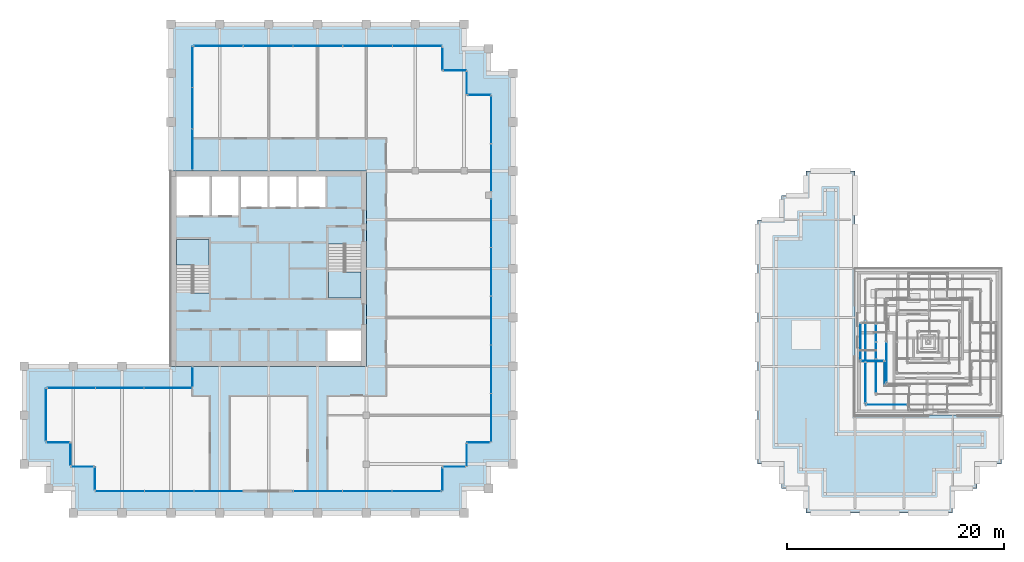
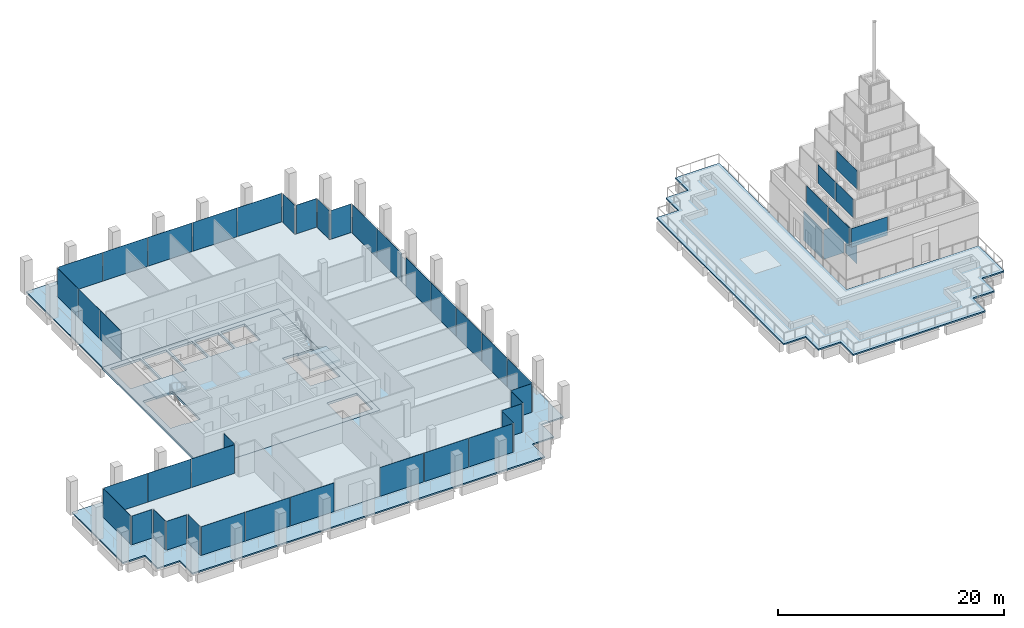
# One storey, part 52 of 62: 47 plates, 6 slabs, 30 elements without a shape of their own.
"""IFC4 building model written with IfcOpenShell, lengths in metres."""

from ifc_helpers import new_model, si_unit, direction, frame, origin, origin_2d, place, context, subcontext, project, spatial, polyline, rectangle, outline, extrude, material, layer, layer_set, type_object, element, aggregate, save


model = new_model("IFC4")

# Units and contexts
model_context = context("Model", 3, precision=1e-05, world=origin(), true_north=direction((0.0, 1.0)))
body_context = subcontext(model_context, "Body", "Model", "MODEL_VIEW")
ifc_project = project(units=[si_unit("LENGTHUNIT", "METRE"), si_unit("AREAUNIT", "SQUARE_METRE"), si_unit("VOLUMEUNIT", "CUBIC_METRE"), si_unit("PLANEANGLEUNIT", "RADIAN"), si_unit("MASSUNIT", "GRAM", prefix="KILO")], contexts=[model_context])

# Site, building, storey
site_placement = place(None, origin())
site = spatial("IfcSite", under=ifc_project, at=site_placement, CompositionType="ELEMENT")
building_placement = place(site_placement, origin())
building = spatial("IfcBuilding", under=site, at=building_placement, Name="Altepetl Exchange Towers", CompositionType="ELEMENT")
storey_placement = place(building_placement, frame((0.0, 0.0, 210.0)))
storey = spatial("IfcBuildingStorey", under=building, at=storey_placement, Name="L53", CompositionType="ELEMENT", Elevation=210.0)

# Slabs
ifc_material_1 = material(Name="Concrete C40/50", Category="concrete")
ifc_layer_1 = layer(ifc_material_1, 0.14990234375)
ifc_layer_set_1 = layer_set([ifc_layer_1], Name="Concrete C40/50")
slab_type_1 = type_object("IfcSlabType", Name="Composite floor slab 150", PredefinedType="FLOOR", material=ifc_layer_set_1)
slab_1_placement = place(storey_placement, frame((0.0, 0.0, -0.14990234375)))
element("IfcSlab", 1, at=slab_1_placement, inside=storey, type_object=slab_type_1, Name="slab:A:L53:strip0", PredefinedType="FLOOR", context=body_context, shape_type="SweptSolid", body=[
    extrude(outline(polyline([(42.5, 70.0), (42.5, 58.5), (58.5, 58.5), (58.5, 40.5), (42.5, 40.5), (42.5, 38.5), (29.0, 38.5), (29.0, 33.5), (31.25, 33.5), (31.25, 31.25), (33.5, 31.25), (33.5, 29.0), (65.5, 29.0), (65.5, 31.25), (67.75, 31.25), (67.75, 33.5), (70.0, 33.5), (70.0, 65.5), (67.75, 65.5), (67.75, 67.75), (65.5, 67.75), (65.5, 70.0), (42.5, 70.0)])), origin(), (0.0, 0.0, 1.0), 0.14990234375),
])
ifc_layer_2 = layer(ifc_material_1, 0.25)
ifc_layer_set_2 = layer_set([ifc_layer_2], Name="Concrete C40/50")
slab_type_2 = type_object("IfcSlabType", Name="Core floor slab 250", PredefinedType="FLOOR", material=ifc_layer_set_2)
slab_2_placement = place(storey_placement, frame((0.0, 0.0, -0.25)))
element("IfcSlab", 2, at=slab_2_placement, inside=storey, type_object=slab_type_2, Name="slab:A:L53:core0", PredefinedType="FLOOR", context=body_context, shape_type="SweptSolid", body=[
    extrude(outline(polyline([(40.5, 40.5), (58.5, 40.5), (58.5, 58.5), (40.5, 58.5), (40.5, 40.5)]), holes=[polyline([(54.93310546875, 43.800048828125), (58.0, 43.800048828125), (58.0, 41.0), (54.93310546875, 41.0), (54.93310546875, 43.800048828125)]), polyline([(55.0, 51.7490234375), (56.550048828125, 51.7490234375), (56.550048828125, 51.64990234375), (58.0, 51.64990234375), (58.0, 46.800048828125), (55.0, 46.800048828125), (55.0, 51.7490234375)]), polyline([(44.0, 47.2509765625), (42.449951171875, 47.2509765625), (42.449951171875, 47.35009765625), (41.0, 47.35009765625), (41.0, 52.199951171875), (44.0, 52.199951171875), (44.0, 47.2509765625)]), polyline([(41.0, 58.0), (44.06689453125, 58.0), (44.06689453125, 54.39990234375), (41.0, 54.39990234375), (41.0, 58.0)]), polyline([(44.26708984375, 58.0), (46.73291015625, 58.0), (46.73291015625, 54.39990234375), (44.26708984375, 54.39990234375), (44.26708984375, 58.0)]), polyline([(46.93310546875, 58.0), (49.39990234375, 58.0), (49.39990234375, 55.199951171875), (46.93310546875, 55.199951171875), (46.93310546875, 58.0)]), polyline([(49.60009765625, 58.0), (52.06689453125, 58.0), (52.06689453125, 55.199951171875), (49.60009765625, 55.199951171875), (49.60009765625, 58.0)]), polyline([(52.26708984375, 58.0), (54.73291015625, 58.0), (54.73291015625, 55.199951171875), (52.26708984375, 55.199951171875), (52.26708984375, 58.0)])]), origin(), (0.0, 0.0, 1.0), 0.25),
])

# Curtain wall, plate
ifc_material_2 = material(Name="Aluminium 6063-T6 glazing", Category="aluminium")
curtain_wall_type_1 = type_object("IfcCurtainWallType", Name="Loggia glazing system", PredefinedType="NOTDEFINED", material=ifc_material_2)
curtain_wall_1_placement = place(storey_placement, origin())
curtain_wall_1 = element("IfcCurtainWall", 3, at=curtain_wall_1_placement, inside=storey, type_object=curtain_wall_type_1, Name="CW1 run", PredefinedType="NOTDEFINED")
ifc_material_3 = material(Name="Glass 6-16-6 low emissivity", Category="glass")
ifc_layer_3 = layer(ifc_material_3, 0.028076171875)
ifc_layer_set_3 = layer_set([ifc_layer_3], Name="Glass 6-16-6 low emissivity")
plate_type_1 = type_object("IfcPlateType", Name="Glass panel 28 double glazed", PredefinedType="CURTAIN_PANEL", material=ifc_layer_set_3)
plate_1_placement = place(storey_placement, frame((42.5, 39.53759765625, 0.0), z_axis=(0.0, 0.0, 1.0), x_axis=(0.0, -1.0, 0.0)))
plate_1 = element("IfcPlate", 4, at=plate_1_placement, type_object=plate_type_1, Name="GP1 panel", PredefinedType="CURTAIN_PANEL", context=body_context, shape_type="SweptSolid", body=[
    extrude(rectangle(XDim=1.804931640625, YDim=0.028076171875, at=origin_2d()), origin(), (0.0, 0.0, 1.0), 3.10009765625),
])
aggregate(curtain_wall_1, [plate_1])

# Curtain wall, plates
curtain_wall_2_placement = place(storey_placement, origin())
curtain_wall_2 = element("IfcCurtainWall", 5, at=curtain_wall_2_placement, inside=storey, type_object=curtain_wall_type_1, Name="CW1 run", PredefinedType="NOTDEFINED")
plate_2_placement = place(storey_placement, frame((40.24755859375, 38.5, 0.0), z_axis=(0.0, 0.0, 1.0), x_axis=(-1.0, 0.0, 0.0)))
plate_2 = element("IfcPlate", 6, at=plate_2_placement, type_object=plate_type_1, Name="GP1 panel", PredefinedType="CURTAIN_PANEL", context=body_context, shape_type="SweptSolid", body=[
    extrude(rectangle(XDim=4.385009765625, YDim=0.028076171875, at=origin_2d()), origin(), (0.0, 0.0, 1.0), 3.10009765625),
])
plate_3_placement = place(storey_placement, frame((35.78759765625, 38.5, 0.0), z_axis=(0.0, 0.0, 1.0), x_axis=(-1.0, 0.0, 0.0)))
plate_3 = element("IfcPlate", 7, at=plate_3_placement, type_object=plate_type_1, Name="GP1 panel", PredefinedType="CURTAIN_PANEL", context=body_context, shape_type="SweptSolid", body=[
    extrude(rectangle(XDim=4.4150390625, YDim=0.028076171875, at=origin_2d()), origin(), (0.0, 0.0, 1.0), 3.10009765625),
])
plate_4_placement = place(storey_placement, frame((31.327392578125, 38.5, 0.0), z_axis=(0.0, 0.0, 1.0), x_axis=(-1.0, 0.0, 0.0)))
plate_4 = element("IfcPlate", 8, at=plate_4_placement, type_object=plate_type_1, Name="GP1 panel", PredefinedType="CURTAIN_PANEL", context=body_context, shape_type="SweptSolid", body=[
    extrude(rectangle(XDim=4.385009765625, YDim=0.028076171875, at=origin_2d()), origin(), (0.0, 0.0, 1.0), 3.10009765625),
])
aggregate(curtain_wall_2, [plate_2, plate_3, plate_4])

# Curtain wall, plate
curtain_wall_3_placement = place(storey_placement, origin())
curtain_wall_3 = element("IfcCurtainWall", 9, at=curtain_wall_3_placement, inside=storey, type_object=curtain_wall_type_1, Name="CW1 run", PredefinedType="NOTDEFINED")
plate_5_placement = place(storey_placement, frame((29.0, 36.03759765625, 0.0), z_axis=(0.0, 0.0, 1.0), x_axis=(0.0, -1.0, 0.0)))
plate_5 = element("IfcPlate", 10, at=plate_5_placement, type_object=plate_type_1, Name="GP1 panel", PredefinedType="CURTAIN_PANEL", context=body_context, shape_type="SweptSolid", body=[
    extrude(rectangle(XDim=4.804931640625, YDim=0.028076171875, at=origin_2d()), origin(), (0.0, 0.0, 1.0), 3.10009765625),
])
aggregate(curtain_wall_3, [plate_5])

curtain_wall_4_placement = place(storey_placement, origin())
curtain_wall_4 = element("IfcCurtainWall", 11, at=curtain_wall_4_placement, inside=storey, type_object=curtain_wall_type_1, Name="CW1 run", PredefinedType="NOTDEFINED")
plate_6_placement = place(storey_placement, frame((30.08740234375, 33.5, 0.0)))
plate_6 = element("IfcPlate", 12, at=plate_6_placement, type_object=plate_type_1, Name="GP1 panel", PredefinedType="CURTAIN_PANEL", context=body_context, shape_type="SweptSolid", body=[
    extrude(rectangle(XDim=2.054931640625, YDim=0.028076171875, at=origin_2d()), origin(), (0.0, 0.0, 1.0), 3.10009765625),
])
aggregate(curtain_wall_4, [plate_6])

curtain_wall_5_placement = place(storey_placement, origin())
curtain_wall_5 = element("IfcCurtainWall", 13, at=curtain_wall_5_placement, inside=storey, type_object=curtain_wall_type_1, Name="CW1 run", PredefinedType="NOTDEFINED")
plate_7_placement = place(storey_placement, frame((31.25, 32.41259765625, 0.0), z_axis=(0.0, 0.0, 1.0), x_axis=(0.0, -1.0, 0.0)))
plate_7 = element("IfcPlate", 14, at=plate_7_placement, type_object=plate_type_1, Name="GP1 panel", PredefinedType="CURTAIN_PANEL", context=body_context, shape_type="SweptSolid", body=[
    extrude(rectangle(XDim=2.054931640625, YDim=0.028076171875, at=origin_2d()), origin(), (0.0, 0.0, 1.0), 3.10009765625),
])
aggregate(curtain_wall_5, [plate_7])

curtain_wall_6_placement = place(storey_placement, origin())
curtain_wall_6 = element("IfcCurtainWall", 15, at=curtain_wall_6_placement, inside=storey, type_object=curtain_wall_type_1, Name="CW1 run", PredefinedType="NOTDEFINED")
plate_8_placement = place(storey_placement, frame((32.33740234375, 31.25, 0.0)))
plate_8 = element("IfcPlate", 16, at=plate_8_placement, type_object=plate_type_1, Name="GP1 panel", PredefinedType="CURTAIN_PANEL", context=body_context, shape_type="SweptSolid", body=[
    extrude(rectangle(XDim=2.054931640625, YDim=0.028076171875, at=origin_2d()), origin(), (0.0, 0.0, 1.0), 3.10009765625),
])
aggregate(curtain_wall_6, [plate_8])

curtain_wall_7_placement = place(storey_placement, origin())
curtain_wall_7 = element("IfcCurtainWall", 17, at=curtain_wall_7_placement, inside=storey, type_object=curtain_wall_type_1, Name="CW1 run", PredefinedType="NOTDEFINED")
plate_9_placement = place(storey_placement, frame((33.5, 30.16259765625, 0.0), z_axis=(0.0, 0.0, 1.0), x_axis=(0.0, -1.0, 0.0)))
plate_9 = element("IfcPlate", 18, at=plate_9_placement, type_object=plate_type_1, Name="GP1 panel", PredefinedType="CURTAIN_PANEL", context=body_context, shape_type="SweptSolid", body=[
    extrude(rectangle(XDim=2.054931640625, YDim=0.028076171875, at=origin_2d()), origin(), (0.0, 0.0, 1.0), 3.10009765625),
])
aggregate(curtain_wall_7, [plate_9])

# Curtain wall, plates
curtain_wall_8_placement = place(storey_placement, origin())
curtain_wall_8 = element("IfcCurtainWall", 19, at=curtain_wall_8_placement, inside=storey, type_object=curtain_wall_type_1, Name="CW1 run", PredefinedType="NOTDEFINED")
plate_10_placement = place(storey_placement, frame((35.79541015625, 29.0, 0.0)))
plate_10 = element("IfcPlate", 20, at=plate_10_placement, type_object=plate_type_1, Name="GP1 panel", PredefinedType="CURTAIN_PANEL", context=body_context, shape_type="SweptSolid", body=[
    extrude(rectangle(XDim=4.470703125, YDim=0.028076171875, at=origin_2d()), origin(), (0.0, 0.0, 1.0), 3.10009765625),
])
plate_11_placement = place(storey_placement, frame((40.341064453125, 29.0, 0.0)))
plate_11 = element("IfcPlate", 21, at=plate_11_placement, type_object=plate_type_1, Name="GP1 panel", PredefinedType="CURTAIN_PANEL", context=body_context, shape_type="SweptSolid", body=[
    extrude(rectangle(XDim=4.500732421875, YDim=0.028076171875, at=origin_2d()), origin(), (0.0, 0.0, 1.0), 3.10009765625),
])
plate_12_placement = place(storey_placement, frame((44.88671875, 29.0, 0.0)))
plate_12 = element("IfcPlate", 22, at=plate_12_placement, type_object=plate_type_1, Name="GP1 panel", PredefinedType="CURTAIN_PANEL", context=body_context, shape_type="SweptSolid", body=[
    extrude(rectangle(XDim=4.470703125, YDim=0.028076171875, at=origin_2d()), origin(), (0.0, 0.0, 1.0), 3.10009765625),
])
aggregate(curtain_wall_8, [plate_10, plate_11, plate_12])

curtain_wall_9_placement = place(storey_placement, origin())
curtain_wall_9 = element("IfcCurtainWall", 23, at=curtain_wall_9_placement, inside=storey, type_object=curtain_wall_type_1, Name="CW1 run", PredefinedType="NOTDEFINED")
plate_13_placement = place(storey_placement, frame((54.038330078125, 29.0, 0.0)))
plate_13 = element("IfcPlate", 24, at=plate_13_placement, type_object=plate_type_1, Name="GP1 panel", PredefinedType="CURTAIN_PANEL", context=body_context, shape_type="SweptSolid", body=[
    extrude(rectangle(XDim=4.470703125, YDim=0.028076171875, at=origin_2d()), origin(), (0.0, 0.0, 1.0), 3.10009765625),
])
plate_14_placement = place(storey_placement, frame((58.583984375, 29.0, 0.0)))
plate_14 = element("IfcPlate", 25, at=plate_14_placement, type_object=plate_type_1, Name="GP1 panel", PredefinedType="CURTAIN_PANEL", context=body_context, shape_type="SweptSolid", body=[
    extrude(rectangle(XDim=4.500732421875, YDim=0.028076171875, at=origin_2d()), origin(), (0.0, 0.0, 1.0), 3.10009765625),
])
plate_15_placement = place(storey_placement, frame((63.129638671875, 29.0, 0.0)))
plate_15 = element("IfcPlate", 26, at=plate_15_placement, type_object=plate_type_1, Name="GP1 panel", PredefinedType="CURTAIN_PANEL", context=body_context, shape_type="SweptSolid", body=[
    extrude(rectangle(XDim=4.470703125, YDim=0.028076171875, at=origin_2d()), origin(), (0.0, 0.0, 1.0), 3.10009765625),
])
aggregate(curtain_wall_9, [plate_13, plate_14, plate_15])

# Curtain wall, plate
curtain_wall_10_placement = place(storey_placement, origin())
curtain_wall_10 = element("IfcCurtainWall", 27, at=curtain_wall_10_placement, inside=storey, type_object=curtain_wall_type_1, Name="CW1 run", PredefinedType="NOTDEFINED")
plate_16_placement = place(storey_placement, frame((65.5, 30.08740234375, 0.0), z_axis=(0.0, 0.0, 1.0), x_axis=(0.0, 1.0, 0.0)))
plate_16 = element("IfcPlate", 28, at=plate_16_placement, type_object=plate_type_1, Name="GP1 panel", PredefinedType="CURTAIN_PANEL", context=body_context, shape_type="SweptSolid", body=[
    extrude(rectangle(XDim=2.054931640625, YDim=0.028076171875, at=origin_2d()), origin(), (0.0, 0.0, 1.0), 3.10009765625),
])
aggregate(curtain_wall_10, [plate_16])

curtain_wall_11_placement = place(storey_placement, origin())
curtain_wall_11 = element("IfcCurtainWall", 29, at=curtain_wall_11_placement, inside=storey, type_object=curtain_wall_type_1, Name="CW1 run", PredefinedType="NOTDEFINED")
plate_17_placement = place(storey_placement, frame((66.58740234375, 31.25, 0.0)))
plate_17 = element("IfcPlate", 30, at=plate_17_placement, type_object=plate_type_1, Name="GP1 panel", PredefinedType="CURTAIN_PANEL", context=body_context, shape_type="SweptSolid", body=[
    extrude(rectangle(XDim=2.054931640625, YDim=0.028076171875, at=origin_2d()), origin(), (0.0, 0.0, 1.0), 3.10009765625),
])
aggregate(curtain_wall_11, [plate_17])

curtain_wall_12_placement = place(storey_placement, origin())
curtain_wall_12 = element("IfcCurtainWall", 31, at=curtain_wall_12_placement, inside=storey, type_object=curtain_wall_type_1, Name="CW1 run", PredefinedType="NOTDEFINED")
plate_18_placement = place(storey_placement, frame((67.75, 32.33740234375, 0.0), z_axis=(0.0, 0.0, 1.0), x_axis=(0.0, 1.0, 0.0)))
plate_18 = element("IfcPlate", 32, at=plate_18_placement, type_object=plate_type_1, Name="GP1 panel", PredefinedType="CURTAIN_PANEL", context=body_context, shape_type="SweptSolid", body=[
    extrude(rectangle(XDim=2.054931640625, YDim=0.028076171875, at=origin_2d()), origin(), (0.0, 0.0, 1.0), 3.10009765625),
])
aggregate(curtain_wall_12, [plate_18])

curtain_wall_13_placement = place(storey_placement, origin())
curtain_wall_13 = element("IfcCurtainWall", 33, at=curtain_wall_13_placement, inside=storey, type_object=curtain_wall_type_1, Name="CW1 run", PredefinedType="NOTDEFINED")
plate_19_placement = place(storey_placement, frame((68.83740234375, 33.5, 0.0)))
plate_19 = element("IfcPlate", 34, at=plate_19_placement, type_object=plate_type_1, Name="GP1 panel", PredefinedType="CURTAIN_PANEL", context=body_context, shape_type="SweptSolid", body=[
    extrude(rectangle(XDim=2.054931640625, YDim=0.028076171875, at=origin_2d()), origin(), (0.0, 0.0, 1.0), 3.10009765625),
])
aggregate(curtain_wall_13, [plate_19])

# Curtain wall, plates
curtain_wall_14_placement = place(storey_placement, origin())
curtain_wall_14 = element("IfcCurtainWall", 35, at=curtain_wall_14_placement, inside=storey, type_object=curtain_wall_type_1, Name="CW1 run", PredefinedType="NOTDEFINED")
plate_20_placement = place(storey_placement, frame((70.0, 35.758056640625, 0.0), z_axis=(0.0, 0.0, 1.0), x_axis=(0.0, 1.0, 0.0)))
plate_20 = element("IfcPlate", 36, at=plate_20_placement, type_object=plate_type_1, Name="GP1 panel", PredefinedType="CURTAIN_PANEL", context=body_context, shape_type="SweptSolid", body=[
    extrude(rectangle(XDim=4.39599609375, YDim=0.028076171875, at=origin_2d()), origin(), (0.0, 0.0, 1.0), 3.10009765625),
])
plate_21_placement = place(storey_placement, frame((70.0, 40.22900390625, 0.0), z_axis=(0.0, 0.0, 1.0), x_axis=(0.0, 1.0, 0.0)))
plate_21 = element("IfcPlate", 37, at=plate_21_placement, type_object=plate_type_1, Name="GP1 panel", PredefinedType="CURTAIN_PANEL", context=body_context, shape_type="SweptSolid", body=[
    extrude(rectangle(XDim=4.426025390625, YDim=0.028076171875, at=origin_2d()), origin(), (0.0, 0.0, 1.0), 3.10009765625),
])
plate_22_placement = place(storey_placement, frame((70.0, 44.715087890625, 0.0), z_axis=(0.0, 0.0, 1.0), x_axis=(0.0, 1.0, 0.0)))
plate_22 = element("IfcPlate", 38, at=plate_22_placement, type_object=plate_type_1, Name="GP1 panel", PredefinedType="CURTAIN_PANEL", context=body_context, shape_type="SweptSolid", body=[
    extrude(rectangle(XDim=4.426025390625, YDim=0.028076171875, at=origin_2d()), origin(), (0.0, 0.0, 1.0), 3.10009765625),
])
plate_23_placement = place(storey_placement, frame((70.0, 49.200927734375, 0.0), z_axis=(0.0, 0.0, 1.0), x_axis=(0.0, 1.0, 0.0)))
plate_23 = element("IfcPlate", 39, at=plate_23_placement, type_object=plate_type_1, Name="GP1 panel", PredefinedType="CURTAIN_PANEL", context=body_context, shape_type="SweptSolid", body=[
    extrude(rectangle(XDim=4.426025390625, YDim=0.028076171875, at=origin_2d()), origin(), (0.0, 0.0, 1.0), 3.10009765625),
])
plate_24_placement = place(storey_placement, frame((70.0, 53.672119140625, 0.0), z_axis=(0.0, 0.0, 1.0), x_axis=(0.0, 1.0, 0.0)))
plate_24 = element("IfcPlate", 40, at=plate_24_placement, type_object=plate_type_1, Name="GP1 panel", PredefinedType="CURTAIN_PANEL", context=body_context, shape_type="SweptSolid", body=[
    extrude(rectangle(XDim=4.39599609375, YDim=0.028076171875, at=origin_2d()), origin(), (0.0, 0.0, 1.0), 3.10009765625),
])
aggregate(curtain_wall_14, [plate_20, plate_21, plate_22, plate_23, plate_24])

curtain_wall_15_placement = place(storey_placement, origin())
curtain_wall_15 = element("IfcCurtainWall", 41, at=curtain_wall_15_placement, inside=storey, type_object=curtain_wall_type_1, Name="CW1 run", PredefinedType="NOTDEFINED")
plate_25_placement = place(storey_placement, frame((70.0, 58.798828125, 0.0), z_axis=(0.0, 0.0, 1.0), x_axis=(0.0, 1.0, 0.0)))
plate_25 = element("IfcPlate", 42, at=plate_25_placement, type_object=plate_type_1, Name="GP1 panel", PredefinedType="CURTAIN_PANEL", context=body_context, shape_type="SweptSolid", body=[
    extrude(rectangle(XDim=4.33740234375, YDim=0.028076171875, at=origin_2d()), origin(), (0.0, 0.0, 1.0), 3.10009765625),
])
plate_26_placement = place(storey_placement, frame((70.0, 63.1962890625, 0.0), z_axis=(0.0, 0.0, 1.0), x_axis=(0.0, 1.0, 0.0)))
plate_26 = element("IfcPlate", 43, at=plate_26_placement, type_object=plate_type_1, Name="GP1 panel", PredefinedType="CURTAIN_PANEL", context=body_context, shape_type="SweptSolid", body=[
    extrude(rectangle(XDim=4.33740234375, YDim=0.028076171875, at=origin_2d()), origin(), (0.0, 0.0, 1.0), 3.10009765625),
])
aggregate(curtain_wall_15, [plate_25, plate_26])

# Curtain wall, plate
curtain_wall_16_placement = place(storey_placement, origin())
curtain_wall_16 = element("IfcCurtainWall", 44, at=curtain_wall_16_placement, inside=storey, type_object=curtain_wall_type_1, Name="CW1 run", PredefinedType="NOTDEFINED")
plate_27_placement = place(storey_placement, frame((68.91259765625, 65.5, 0.0), z_axis=(0.0, 0.0, 1.0), x_axis=(-1.0, 0.0, 0.0)))
plate_27 = element("IfcPlate", 45, at=plate_27_placement, type_object=plate_type_1, Name="GP1 panel", PredefinedType="CURTAIN_PANEL", context=body_context, shape_type="SweptSolid", body=[
    extrude(rectangle(XDim=2.054931640625, YDim=0.028076171875, at=origin_2d()), origin(), (0.0, 0.0, 1.0), 3.10009765625),
])
aggregate(curtain_wall_16, [plate_27])

curtain_wall_17_placement = place(storey_placement, origin())
curtain_wall_17 = element("IfcCurtainWall", 46, at=curtain_wall_17_placement, inside=storey, type_object=curtain_wall_type_1, Name="CW1 run", PredefinedType="NOTDEFINED")
plate_28_placement = place(storey_placement, frame((67.75, 66.58740234375, 0.0), z_axis=(0.0, 0.0, 1.0), x_axis=(0.0, 1.0, 0.0)))
plate_28 = element("IfcPlate", 47, at=plate_28_placement, type_object=plate_type_1, Name="GP1 panel", PredefinedType="CURTAIN_PANEL", context=body_context, shape_type="SweptSolid", body=[
    extrude(rectangle(XDim=2.054931640625, YDim=0.028076171875, at=origin_2d()), origin(), (0.0, 0.0, 1.0), 3.10009765625),
])
aggregate(curtain_wall_17, [plate_28])

curtain_wall_18_placement = place(storey_placement, origin())
curtain_wall_18 = element("IfcCurtainWall", 48, at=curtain_wall_18_placement, inside=storey, type_object=curtain_wall_type_1, Name="CW1 run", PredefinedType="NOTDEFINED")
plate_29_placement = place(storey_placement, frame((66.66259765625, 67.75, 0.0), z_axis=(0.0, 0.0, 1.0), x_axis=(-1.0, 0.0, 0.0)))
plate_29 = element("IfcPlate", 49, at=plate_29_placement, type_object=plate_type_1, Name="GP1 panel", PredefinedType="CURTAIN_PANEL", context=body_context, shape_type="SweptSolid", body=[
    extrude(rectangle(XDim=2.054931640625, YDim=0.028076171875, at=origin_2d()), origin(), (0.0, 0.0, 1.0), 3.10009765625),
])
aggregate(curtain_wall_18, [plate_29])

curtain_wall_19_placement = place(storey_placement, origin())
curtain_wall_19 = element("IfcCurtainWall", 50, at=curtain_wall_19_placement, inside=storey, type_object=curtain_wall_type_1, Name="CW1 run", PredefinedType="NOTDEFINED")
plate_30_placement = place(storey_placement, frame((65.5, 68.83740234375, 0.0), z_axis=(0.0, 0.0, 1.0), x_axis=(0.0, 1.0, 0.0)))
plate_30 = element("IfcPlate", 51, at=plate_30_placement, type_object=plate_type_1, Name="GP1 panel", PredefinedType="CURTAIN_PANEL", context=body_context, shape_type="SweptSolid", body=[
    extrude(rectangle(XDim=2.054931640625, YDim=0.028076171875, at=origin_2d()), origin(), (0.0, 0.0, 1.0), 3.10009765625),
])
aggregate(curtain_wall_19, [plate_30])

# Curtain wall, plates
curtain_wall_20_placement = place(storey_placement, origin())
curtain_wall_20 = element("IfcCurtainWall", 52, at=curtain_wall_20_placement, inside=storey, type_object=curtain_wall_type_1, Name="CW1 run", PredefinedType="NOTDEFINED")
plate_31_placement = place(storey_placement, frame((63.1923828125, 70.0, 0.0), z_axis=(0.0, 0.0, 1.0), x_axis=(-1.0, 0.0, 0.0)))
plate_31 = element("IfcPlate", 53, at=plate_31_placement, type_object=plate_type_1, Name="GP1 panel", PredefinedType="CURTAIN_PANEL", context=body_context, shape_type="SweptSolid", body=[
    extrude(rectangle(XDim=4.4951171875, YDim=0.028076171875, at=origin_2d()), origin(), (0.0, 0.0, 1.0), 3.10009765625),
])
plate_32_placement = place(storey_placement, frame((58.62255859375, 70.0, 0.0), z_axis=(0.0, 0.0, 1.0), x_axis=(-1.0, 0.0, 0.0)))
plate_32 = element("IfcPlate", 54, at=plate_32_placement, type_object=plate_type_1, Name="GP1 panel", PredefinedType="CURTAIN_PANEL", context=body_context, shape_type="SweptSolid", body=[
    extrude(rectangle(XDim=4.52490234375, YDim=0.028076171875, at=origin_2d()), origin(), (0.0, 0.0, 1.0), 3.10009765625),
])
plate_33_placement = place(storey_placement, frame((54.03759765625, 70.0, 0.0), z_axis=(0.0, 0.0, 1.0), x_axis=(-1.0, 0.0, 0.0)))
plate_33 = element("IfcPlate", 55, at=plate_33_placement, type_object=plate_type_1, Name="GP1 panel", PredefinedType="CURTAIN_PANEL", context=body_context, shape_type="SweptSolid", body=[
    extrude(rectangle(XDim=4.52490234375, YDim=0.028076171875, at=origin_2d()), origin(), (0.0, 0.0, 1.0), 3.10009765625),
])
plate_34_placement = place(storey_placement, frame((49.452392578125, 70.0, 0.0), z_axis=(0.0, 0.0, 1.0), x_axis=(-1.0, 0.0, 0.0)))
plate_34 = element("IfcPlate", 56, at=plate_34_placement, type_object=plate_type_1, Name="GP1 panel", PredefinedType="CURTAIN_PANEL", context=body_context, shape_type="SweptSolid", body=[
    extrude(rectangle(XDim=4.52490234375, YDim=0.028076171875, at=origin_2d()), origin(), (0.0, 0.0, 1.0), 3.10009765625),
])
plate_35_placement = place(storey_placement, frame((44.882568359375, 70.0, 0.0), z_axis=(0.0, 0.0, 1.0), x_axis=(-1.0, 0.0, 0.0)))
plate_35 = element("IfcPlate", 57, at=plate_35_placement, type_object=plate_type_1, Name="GP1 panel", PredefinedType="CURTAIN_PANEL", context=body_context, shape_type="SweptSolid", body=[
    extrude(rectangle(XDim=4.4951171875, YDim=0.028076171875, at=origin_2d()), origin(), (0.0, 0.0, 1.0), 3.10009765625),
])
aggregate(curtain_wall_20, [plate_31, plate_32, plate_33, plate_34, plate_35])

curtain_wall_21_placement = place(storey_placement, origin())
curtain_wall_21 = element("IfcCurtainWall", 58, at=curtain_wall_21_placement, inside=storey, type_object=curtain_wall_type_1, Name="CW1 run", PredefinedType="NOTDEFINED")
plate_36_placement = place(storey_placement, frame((42.5, 68.080810546875, 0.0), z_axis=(0.0, 0.0, 1.0), x_axis=(0.0, -1.0, 0.0)))
plate_36 = element("IfcPlate", 59, at=plate_36_placement, type_object=plate_type_1, Name="GP1 panel", PredefinedType="CURTAIN_PANEL", context=body_context, shape_type="SweptSolid", body=[
    extrude(rectangle(XDim=3.71826171875, YDim=0.028076171875, at=origin_2d()), origin(), (0.0, 0.0, 1.0), 3.10009765625),
])
plate_37_placement = place(storey_placement, frame((42.5, 64.28759765625, 0.0), z_axis=(0.0, 0.0, 1.0), x_axis=(0.0, -1.0, 0.0)))
plate_37 = element("IfcPlate", 60, at=plate_37_placement, type_object=plate_type_1, Name="GP1 panel", PredefinedType="CURTAIN_PANEL", context=body_context, shape_type="SweptSolid", body=[
    extrude(rectangle(XDim=3.748291015625, YDim=0.028076171875, at=origin_2d()), origin(), (0.0, 0.0, 1.0), 3.10009765625),
])
plate_38_placement = place(storey_placement, frame((42.5, 60.494140625, 0.0), z_axis=(0.0, 0.0, 1.0), x_axis=(0.0, -1.0, 0.0)))
plate_38 = element("IfcPlate", 61, at=plate_38_placement, type_object=plate_type_1, Name="GP1 panel", PredefinedType="CURTAIN_PANEL", context=body_context, shape_type="SweptSolid", body=[
    extrude(rectangle(XDim=3.71826171875, YDim=0.028076171875, at=origin_2d()), origin(), (0.0, 0.0, 1.0), 3.10009765625),
])
aggregate(curtain_wall_21, [plate_36, plate_37, plate_38])

# Curtain wall, plate
curtain_wall_22_placement = place(storey_placement, origin())
curtain_wall_22 = element("IfcCurtainWall", 62, at=curtain_wall_22_placement, inside=storey, type_object=curtain_wall_type_1, Name="CW1 run", PredefinedType="NOTDEFINED")
plate_39_placement = place(storey_placement, frame((104.0, 42.78759765625, 0.0), z_axis=(0.0, 0.0, 1.0), x_axis=(0.0, -1.0, 0.0)))
plate_39 = element("IfcPlate", 63, at=plate_39_placement, type_object=plate_type_1, Name="GP1 panel", PredefinedType="CURTAIN_PANEL", context=body_context, shape_type="SweptSolid", body=[
    extrude(rectangle(XDim=3.304931640625, YDim=0.028076171875, at=origin_2d()), origin(), (0.0, 0.0, 1.0), 3.199951171875),
])
aggregate(curtain_wall_22, [plate_39])

curtain_wall_23_placement = place(storey_placement, origin())
curtain_wall_23 = element("IfcCurtainWall", 64, at=curtain_wall_23_placement, inside=storey, type_object=curtain_wall_type_1, Name="CW1 run", PredefinedType="NOTDEFINED")
plate_40_placement = place(storey_placement, frame((105.08740234375, 41.0, 0.0)))
plate_40 = element("IfcPlate", 65, at=plate_40_placement, type_object=plate_type_1, Name="GP1 panel", PredefinedType="CURTAIN_PANEL", context=body_context, shape_type="SweptSolid", body=[
    extrude(rectangle(XDim=2.054931640625, YDim=0.028076171875, at=origin_2d()), origin(), (0.0, 0.0, 1.0), 3.199951171875),
])
aggregate(curtain_wall_23, [plate_40])

curtain_wall_24_placement = place(storey_placement, origin())
curtain_wall_24 = element("IfcCurtainWall", 66, at=curtain_wall_24_placement, inside=storey, type_object=curtain_wall_type_1, Name="CW1 run", PredefinedType="NOTDEFINED")
plate_41_placement = place(storey_placement, frame((106.25, 39.91259765625, 0.0), z_axis=(0.0, 0.0, 1.0), x_axis=(0.0, -1.0, 0.0)))
plate_41 = element("IfcPlate", 67, at=plate_41_placement, type_object=plate_type_1, Name="GP1 panel", PredefinedType="CURTAIN_PANEL", context=body_context, shape_type="SweptSolid", body=[
    extrude(rectangle(XDim=2.054931640625, YDim=0.028076171875, at=origin_2d()), origin(), (0.0, 0.0, 1.0), 3.199951171875),
])
aggregate(curtain_wall_24, [plate_41])

curtain_wall_type_2 = type_object("IfcCurtainWallType", Name="Crown glazing system", PredefinedType="NOTDEFINED", material=ifc_material_2)
curtain_wall_25_placement = place(storey_placement, origin())
curtain_wall_25 = element("IfcCurtainWall", 68, at=curtain_wall_25_placement, inside=storey, type_object=curtain_wall_type_2, Name="CW7 run", PredefinedType="NOTDEFINED")
ifc_material_4 = material(Name="Glass 8-20-8 solar control", Category="glass")
ifc_layer_4 = layer(ifc_material_4, 0.035888671875)
ifc_layer_set_4 = layer_set([ifc_layer_4], Name="Glass 8-20-8 solar control")
plate_type_2 = type_object("IfcPlateType", Name="Glass panel 36 double glazed", PredefinedType="CURTAIN_PANEL", material=ifc_layer_set_4)
plate_42_placement = place(storey_placement, frame((106.396240234375, 36.96435546875, 3.60009765625)))
plate_42 = element("IfcPlate", 69, at=plate_42_placement, type_object=plate_type_2, Name="GP2 panel", PredefinedType="CURTAIN_PANEL", context=body_context, shape_type="SweptSolid", body=[
    extrude(rectangle(XDim=3.703857421875, YDim=0.035888671875, at=origin_2d()), origin(), (0.0, 0.0, 1.0), 2.0),
])
aggregate(curtain_wall_25, [plate_42])

# Curtain wall, plates
curtain_wall_26_placement = place(storey_placement, origin())
curtain_wall_26 = element("IfcCurtainWall", 70, at=curtain_wall_26_placement, inside=storey, type_object=curtain_wall_type_2, Name="CW7 run", PredefinedType="NOTDEFINED")
plate_43_placement = place(storey_placement, frame((104.46435546875, 42.800048828125, 3.60009765625), z_axis=(0.0, 0.0, 1.0), x_axis=(0.0, -1.0, 0.0)))
plate_43 = element("IfcPlate", 71, at=plate_43_placement, type_object=plate_type_2, Name="GP2 panel", PredefinedType="CURTAIN_PANEL", context=body_context, shape_type="SweptSolid", body=[
    extrude(rectangle(XDim=3.743896484375, YDim=0.035888671875, at=origin_2d()), origin(), (0.0, 0.0, 1.0), 2.0),
])
plate_44_placement = place(storey_placement, frame((104.46435546875, 38.99609375, 3.60009765625), z_axis=(0.0, 0.0, 1.0), x_axis=(0.0, -1.0, 0.0)))
plate_44 = element("IfcPlate", 72, at=plate_44_placement, type_object=plate_type_2, Name="GP2 panel", PredefinedType="CURTAIN_PANEL", context=body_context, shape_type="SweptSolid", body=[
    extrude(rectangle(XDim=3.703857421875, YDim=0.035888671875, at=origin_2d()), origin(), (0.0, 0.0, 1.0), 2.0),
])
aggregate(curtain_wall_26, [plate_43, plate_44])

curtain_wall_27_placement = place(storey_placement, origin())
curtain_wall_27 = element("IfcCurtainWall", 73, at=curtain_wall_27_placement, inside=storey, type_object=curtain_wall_type_2, Name="CW7 run", PredefinedType="NOTDEFINED")
plate_45_placement = place(storey_placement, frame((105.428466796875, 42.800048828125, 5.75), z_axis=(0.0, 0.0, 1.0), x_axis=(0.0, -1.0, 0.0)))
plate_45 = element("IfcPlate", 74, at=plate_45_placement, type_object=plate_type_2, Name="GP2 panel", PredefinedType="CURTAIN_PANEL", context=body_context, shape_type="SweptSolid", body=[
    extrude(rectangle(XDim=3.10107421875, YDim=0.035888671875, at=origin_2d()), origin(), (0.0, 0.0, 1.0), 2.0),
])
plate_46_placement = place(storey_placement, frame((105.428466796875, 39.63916015625, 5.75), z_axis=(0.0, 0.0, 1.0), x_axis=(0.0, -1.0, 0.0)))
plate_46 = element("IfcPlate", 75, at=plate_46_placement, type_object=plate_type_2, Name="GP2 panel", PredefinedType="CURTAIN_PANEL", context=body_context, shape_type="SweptSolid", body=[
    extrude(rectangle(XDim=3.06103515625, YDim=0.035888671875, at=origin_2d()), origin(), (0.0, 0.0, 1.0), 2.0),
])
aggregate(curtain_wall_27, [plate_45, plate_46])

# Curtain wall, plate
curtain_wall_28_placement = place(storey_placement, origin())
curtain_wall_28 = element("IfcCurtainWall", 76, at=curtain_wall_28_placement, inside=storey, type_object=curtain_wall_type_2, Name="CW7 run", PredefinedType="NOTDEFINED")
plate_47_placement = place(storey_placement, frame((106.392822265625, 40.91650390625, 7.89990234375), z_axis=(0.0, 0.0, 1.0), x_axis=(0.0, -1.0, 0.0)))
plate_47 = element("IfcPlate", 77, at=plate_47_placement, type_object=plate_type_2, Name="GP2 panel", PredefinedType="CURTAIN_PANEL", context=body_context, shape_type="SweptSolid", body=[
    extrude(rectangle(XDim=3.687255859375, YDim=0.035888671875, at=origin_2d()), origin(), (0.0, 0.0, 1.0), 2.0),
])
aggregate(curtain_wall_28, [plate_47])

# Slabs
ifc_layer_5 = layer(ifc_material_1, 0.14990234375)
ifc_layer_set_5 = layer_set([ifc_layer_5], Name="Concrete C40/50")
slab_type_3 = type_object("IfcSlabType", Name="Green roof slab 150", PredefinedType="ROOF", material=ifc_layer_set_5)
slab_3_placement = place(storey_placement, frame((0.0, 0.0, -0.14990234375)))
element("IfcSlab", 78, at=slab_3_placement, inside=storey, type_object=slab_type_3, Name="slab:B:L53:terrace0", PredefinedType="ROOF", context=body_context, shape_type="SweptSolid", body=[
    extrude(outline(polyline([(96.75, 29.25), (99.0, 29.25), (99.0, 27.0), (112.5, 27.0), (112.5, 29.25), (114.75, 29.25), (114.75, 31.5), (117.0, 31.5), (117.0, 36.0), (103.5, 36.0), (103.5, 49.5), (103.5, 58.5), (99.0, 58.5), (99.0, 56.25), (96.75, 56.25), (96.75, 54.0), (94.5, 54.0), (94.5, 36.0), (94.5, 31.5), (96.75, 31.5), (96.75, 29.25)])), origin(), (0.0, 0.0, 1.0), 0.14990234375),
])
ifc_layer_6 = layer(ifc_material_1, 0.14990234375)
ifc_layer_set_6 = layer_set([ifc_layer_6], Name="Concrete C40/50")
slab_type_4 = type_object("IfcSlabType", Name="Loggia slab 150", PredefinedType="FLOOR", material=ifc_layer_set_6)
slab_4_placement = place(storey_placement, frame((0.0, 0.0, -0.14990234375)))
element("IfcSlab", 79, at=slab_4_placement, inside=storey, type_object=slab_type_4, Name="slab:A:L53:loggia0", PredefinedType="FLOOR", context=body_context, shape_type="SweptSolid", body=[
    extrude(outline(polyline([(40.5, 72.0), (40.5, 58.5), (42.5, 58.5), (42.5, 70.0), (65.5, 70.0), (65.5, 67.75), (67.75, 67.75), (67.75, 65.5), (70.0, 65.5), (70.0, 33.5), (67.75, 33.5), (67.75, 31.25), (65.5, 31.25), (65.5, 29.0), (33.5, 29.0), (33.5, 31.25), (31.25, 31.25), (31.25, 33.5), (29.0, 33.5), (29.0, 38.5), (42.5, 38.5), (42.5, 40.5), (40.5, 40.5), (27.0, 40.5), (27.0, 31.5), (29.25, 31.5), (29.25, 29.25), (31.5, 29.25), (31.5, 27.0), (58.5, 27.0), (67.5, 27.0), (67.5, 29.25), (69.75, 29.25), (69.75, 31.5), (72.0, 31.5), (72.0, 58.5), (72.0, 67.5), (69.75, 67.5), (69.75, 69.75), (67.5, 69.75), (67.5, 72.0), (40.5, 72.0)])), origin(), (0.0, 0.0, 1.0), 0.14990234375),
])

# Stair, slab
stair_type = type_object("IfcStairType", Name="Exit stair 1450 flights dogleg", PredefinedType="HALF_TURN_STAIR", material=ifc_material_1)
stair_1_placement = place(storey_placement, origin())
stair_1 = element("IfcStair", 80, at=stair_1_placement, inside=storey, type_object=stair_type, Name="Exit stair 1", PredefinedType="HALF_TURN_STAIR")
ifc_layer_7 = layer(ifc_material_1, 0.199951171875)
ifc_layer_set_7 = layer_set([ifc_layer_7], Name="Concrete C40/50")
slab_type_5 = type_object("IfcSlabType", Name="Stair landing 200 reinforced concrete", PredefinedType="LANDING", material=ifc_layer_set_7)
slab_5_placement = place(storey_placement, frame((0.0, 0.0, 1.60009765625)))
slab_5 = element("IfcSlab", 81, at=slab_5_placement, type_object=slab_type_5, Name="ST-A1f landing 1", PredefinedType="LANDING", context=body_context, shape_type="SweptSolid", body=[
    extrude(outline(polyline([(44.0, 49.715087890625), (42.550048828125, 49.715087890625), (42.550048828125, 49.81494140625), (42.449951171875, 49.81494140625), (42.449951171875, 49.814208984375), (41.0, 49.814208984375), (41.0, 49.81494140625), (41.0, 52.199951171875), (44.0, 52.199951171875), (44.0, 49.81494140625), (44.0, 49.715087890625)])), origin(), (0.0, 0.0, 1.0), 0.199951171875),
])
aggregate(stair_1, [slab_5])

stair_2_placement = place(storey_placement, origin())
stair_2 = element("IfcStair", 82, at=stair_2_placement, inside=storey, type_object=stair_type, Name="Exit stair 2", PredefinedType="HALF_TURN_STAIR")
slab_6_placement = place(storey_placement, frame((0.0, 0.0, 1.60009765625)))
slab_6 = element("IfcSlab", 83, at=slab_6_placement, type_object=slab_type_5, Name="ST-A2f landing 1", PredefinedType="LANDING", context=body_context, shape_type="SweptSolid", body=[
    extrude(outline(polyline([(58.0, 46.800048828125), (55.0, 46.800048828125), (55.0, 49.18505859375), (55.0, 49.284912109375), (56.449951171875, 49.284912109375), (56.449951171875, 49.18505859375), (56.550048828125, 49.18505859375), (56.550048828125, 49.185791015625), (58.0, 49.185791015625), (58.0, 49.18505859375), (58.0, 46.800048828125)])), origin(), (0.0, 0.0, 1.0), 0.199951171875),
])
aggregate(stair_2, [slab_6])

save(model, "model.ifc")
